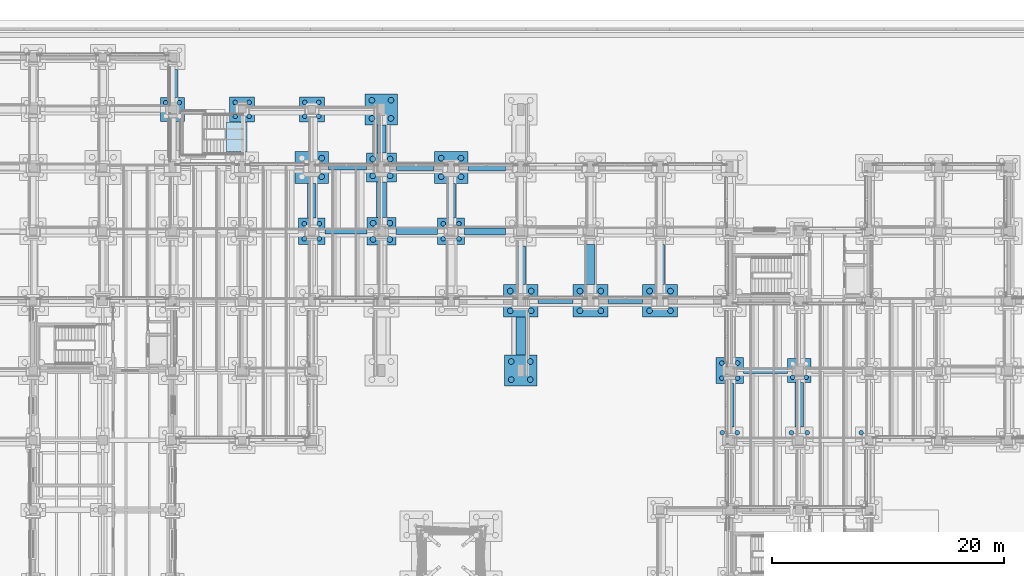
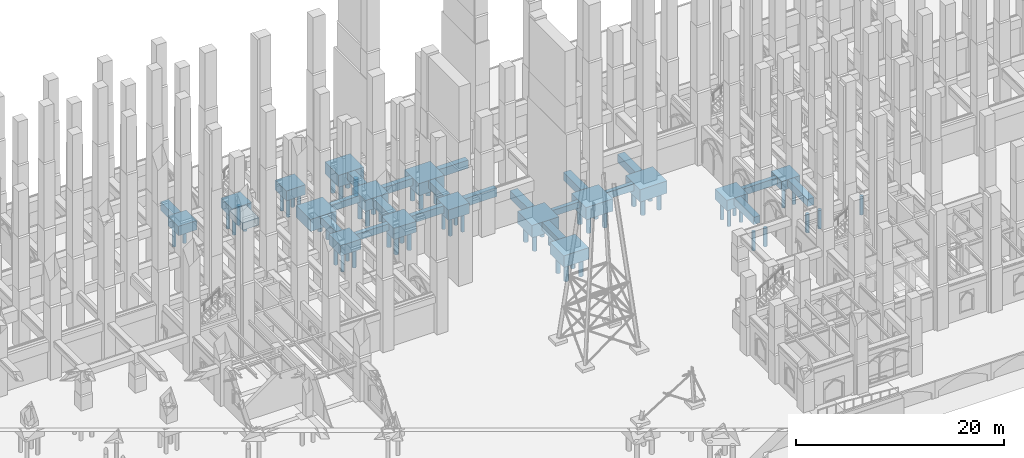
# One storey, part 10 of 135: 63 piles, 37 footings.
"""IFC4 building model written with IfcOpenShell, lengths in metres."""

from ifc_helpers import new_model, si_unit, direction, frame, origin, origin_2d, place, context, subcontext, project, spatial, polyline, rectangle, circle, outline, extrude, material, material_profile, profile_set, type_object, element, save


model = new_model("IFC4")

# Units and contexts
model_context = context("Model", 3, precision=1e-05, world=origin(), true_north=direction((0.0, 1.0)))
body_context = subcontext(model_context, "Body", "Model", "MODEL_VIEW")
ifc_project = project(units=[si_unit("LENGTHUNIT", "METRE"), si_unit("AREAUNIT", "SQUARE_METRE"), si_unit("VOLUMEUNIT", "CUBIC_METRE"), si_unit("PLANEANGLEUNIT", "RADIAN"), si_unit("MASSUNIT", "GRAM", prefix="KILO")], contexts=[model_context])

# Site, building, storey
site_placement = place(None, origin())
site = spatial("IfcSite", under=ifc_project, at=site_placement, CompositionType="ELEMENT")
building_placement = place(site_placement, origin())
building = spatial("IfcBuilding", under=site, at=building_placement, Name="Cumevento Cable Car Station", CompositionType="ELEMENT")
storey_placement = place(building_placement, origin())
storey = spatial("IfcBuildingStorey", under=building, at=storey_placement, Name="L01", CompositionType="ELEMENT", Elevation=0.0)

# Footings
ifc_material_1 = material(Name="Concrete C40/50", Category="concrete")
footing_type_1 = type_object("IfcFootingType", Name="Ground Beam GB-01 420x720", PredefinedType="FOOTING_BEAM", material=ifc_material_1)
footing_1_placement = place(storey_placement, frame((0.0, 0.0, -0.719970703125)))
element("IfcFooting", 1, at=footing_1_placement, inside=storey, type_object=footing_type_1, Name="Ground Tie Beam GB-01 #100", PredefinedType="FOOTING_BEAM", context=body_context, shape_type="SweptSolid", body=[
    extrude(outline(polyline([(101.501953125, 44.7900390625), (104.498046875, 44.7900390625), (104.498046875, 45.2099609375), (101.501953125, 45.2099609375), (101.501953125, 44.7900390625)])), origin(), (0.0, 0.0, 1.0), 0.719970703125),
])
ifc_material_2 = material(Name="Concrete C40/50", Category="concrete")
footing_type_2 = type_object("IfcFootingType", Name="Ground Beam GB-02 480x800", PredefinedType="FOOTING_BEAM", material=ifc_material_2)
footing_2_placement = place(storey_placement, frame((0.0, 0.0, -0.800048828125)))
element("IfcFooting", 2, at=footing_2_placement, inside=storey, type_object=footing_type_2, Name="Ground Tie Beam GB-02 #77", PredefinedType="FOOTING_BEAM", context=body_context, shape_type="SweptSolid", body=[
    extrude(outline(polyline([(119.177001953125, 38.760009765625), (122.972900390625, 38.760009765625), (122.972900390625, 39.239990234375), (119.177001953125, 39.239990234375), (119.177001953125, 38.760009765625)])), origin(), (0.0, 0.0, 1.0), 0.800048828125),
])
footing_3_placement = place(storey_placement, frame((0.0, 0.0, -0.800048828125)))
element("IfcFooting", 3, at=footing_3_placement, inside=storey, type_object=footing_type_2, Name="Ground Tie Beam GB-02 #101", PredefinedType="FOOTING_BEAM", context=body_context, shape_type="SweptSolid", body=[
    extrude(outline(polyline([(107.501953125, 44.760009765625), (110.498046875, 44.760009765625), (110.498046875, 45.239990234375), (107.501953125, 45.239990234375), (107.501953125, 44.760009765625)])), origin(), (0.0, 0.0, 1.0), 0.800048828125),
])
footing_4_placement = place(storey_placement, frame((0.0, 0.0, -0.800048828125)))
element("IfcFooting", 4, at=footing_4_placement, inside=storey, type_object=footing_type_2, Name="Ground Tie Beam GB-02 #121", PredefinedType="FOOTING_BEAM", context=body_context, shape_type="SweptSolid", body=[
    extrude(outline(polyline([(83.126953125, 50.760009765625), (86.748046875, 50.760009765625), (86.748046875, 51.239990234375), (83.126953125, 51.239990234375), (83.126953125, 50.760009765625)])), origin(), (0.0, 0.0, 1.0), 0.800048828125),
])
footing_5_placement = place(storey_placement, frame((0.0, 0.0, -0.800048828125)))
element("IfcFooting", 5, at=footing_5_placement, inside=storey, type_object=footing_type_2, Name="Ground Tie Beam GB-02 #141", PredefinedType="FOOTING_BEAM", context=body_context, shape_type="SweptSolid", body=[
    extrude(outline(polyline([(83.451904296875, 56.260009765625), (86.697998046875, 56.260009765625), (86.697998046875, 56.739990234375), (83.451904296875, 56.739990234375), (83.451904296875, 56.260009765625)])), origin(), (0.0, 0.0, 1.0), 0.800048828125),
])
ifc_material_3 = material(Name="Concrete C40/50", Category="concrete")
footing_type_3 = type_object("IfcFootingType", Name="Ground Beam GB-03 540x880", PredefinedType="FOOTING_BEAM", material=ifc_material_3)
footing_6_placement = place(storey_placement, frame((0.0, 0.0, -0.8798828125)))
element("IfcFooting", 6, at=footing_6_placement, inside=storey, type_object=footing_type_3, Name="Ground Tie Beam GB-03 #122", PredefinedType="FOOTING_BEAM", context=body_context, shape_type="SweptSolid", body=[
    extrude(outline(polyline([(89.251953125, 50.72998046875), (92.822998046875, 50.72998046875), (92.822998046875, 51.27001953125), (89.251953125, 51.27001953125), (89.251953125, 50.72998046875)])), origin(), (0.0, 0.0, 1.0), 0.8798828125),
])
footing_7_placement = place(storey_placement, frame((0.0, 0.0, -0.8798828125)))
element("IfcFooting", 7, at=footing_7_placement, inside=storey, type_object=footing_type_3, Name="Ground Tie Beam GB-03 #142", PredefinedType="FOOTING_BEAM", context=body_context, shape_type="SweptSolid", body=[
    extrude(outline(polyline([(89.302001953125, 56.22998046875), (92.548095703125, 56.22998046875), (92.548095703125, 56.77001953125), (89.302001953125, 56.77001953125), (89.302001953125, 56.22998046875)])), origin(), (0.0, 0.0, 1.0), 0.8798828125),
])
ifc_material_4 = material(Name="Concrete C40/50", Category="concrete")
footing_type_4 = type_object("IfcFootingType", Name="Ground Beam GB-04 600x960", PredefinedType="FOOTING_BEAM", material=ifc_material_4)
footing_8_placement = place(storey_placement, frame((0.0, 0.0, -0.9599609375)))
element("IfcFooting", 8, at=footing_8_placement, inside=storey, type_object=footing_type_4, Name="Ground Tie Beam GB-04 #123", PredefinedType="FOOTING_BEAM", context=body_context, shape_type="SweptSolid", body=[
    extrude(outline(polyline([(95.177001953125, 50.699951171875), (98.697998046875, 50.699951171875), (98.697998046875, 51.300048828125), (95.177001953125, 51.300048828125), (95.177001953125, 50.699951171875)])), origin(), (0.0, 0.0, 1.0), 0.9599609375),
])
footing_9_placement = place(storey_placement, frame((0.0, 0.0, -0.9599609375)))
element("IfcFooting", 9, at=footing_9_placement, inside=storey, type_object=footing_type_4, Name="Ground Tie Beam GB-04 #143", PredefinedType="FOOTING_BEAM", context=body_context, shape_type="SweptSolid", body=[
    extrude(outline(polyline([(95.451904296875, 56.199951171875), (98.697998046875, 56.199951171875), (98.697998046875, 56.800048828125), (95.451904296875, 56.800048828125), (95.451904296875, 56.199951171875)])), origin(), (0.0, 0.0, 1.0), 0.9599609375),
])

# Piles
ifc_material_5 = material(Name="Concrete C40/50", Category="concrete")
ifc_material_profile_1 = material_profile(ifc_material_5, circle(Radius=0.199951171875, at=origin_2d()), Name="PILE-D400")
ifc_profile_set_1 = profile_set([ifc_material_profile_1], Name="Concrete C40/50")
pile_type_1 = type_object("IfcPileType", Name="PILE-BORED-400", PredefinedType="BORED", material=ifc_profile_set_1)
for number, where, z_axis, x_axis, name in (
    (10, (69.419921875, 62.080078125, -1.10009765625), (0.0, 0.0, -1.0), (1.0, 0.0, 0.0), "Bored Pile PL-400 #307"),
    (11, (70.580078125, 62.080078125, -1.10009765625), (0.0, 0.0, -1.0), (1.0, 0.0, 0.0), "Bored Pile PL-400 #308"),
):
    element("IfcPile", number, at=place(storey_placement, frame(where, z_axis=z_axis, x_axis=x_axis)), inside=storey, type_object=pile_type_1, Name=name, PredefinedType="BORED", context=body_context, shape_type="SweptSolid", body=[
        extrude(circle(Radius=0.199951171875, at=origin_2d()), origin(), (0.0, 0.0, 1.0), 2.300048828125),
    ])
for number, where, z_axis, x_axis, name in (
    (12, (81.35009765625, 50.35009765625, -1.199951171875), (0.0, 0.0, -1.0), (1.0, 0.0, 0.0), "Bored Pile PL-400 #353"),
    (13, (82.64990234375, 50.35009765625, -1.199951171875), (0.0, 0.0, -1.0), (1.0, 0.0, 0.0), "Bored Pile PL-400 #354"),
    (14, (81.35009765625, 51.64990234375, -1.199951171875), (0.0, 0.0, -1.0), (1.0, 0.0, 0.0), "Bored Pile PL-400 #355"),
    (15, (82.64990234375, 51.64990234375, -1.199951171875), (0.0, 0.0, -1.0), (1.0, 0.0, 0.0), "Bored Pile PL-400 #356"),
):
    element("IfcPile", number, at=place(storey_placement, frame(where, z_axis=z_axis, x_axis=x_axis)), inside=storey, type_object=pile_type_1, Name=name, PredefinedType="BORED", context=body_context, shape_type="SweptSolid", body=[
        extrude(circle(Radius=0.199951171875, at=origin_2d()), origin(), (0.0, 0.0, 1.0), 2.199951171875),
    ])
for number, where, z_axis, x_axis, name in (
    (16, (93.320068359375, 50.35009765625, -1.219970703125), (0.0, 0.0, -1.0), (1.0, 0.0, 0.0), "Bored Pile PL-400 #377"),
    (17, (94.679931640625, 50.35009765625, -1.219970703125), (0.0, 0.0, -1.0), (1.0, 0.0, 0.0), "Bored Pile PL-400 #378"),
    (18, (93.320068359375, 51.64990234375, -1.219970703125), (0.0, 0.0, -1.0), (1.0, 0.0, 0.0), "Bored Pile PL-400 #379"),
    (19, (94.679931640625, 51.64990234375, -1.219970703125), (0.0, 0.0, -1.0), (1.0, 0.0, 0.0), "Bored Pile PL-400 #380"),
):
    element("IfcPile", number, at=place(storey_placement, frame(where, z_axis=z_axis, x_axis=x_axis)), inside=storey, type_object=pile_type_1, Name=name, PredefinedType="BORED", context=body_context, shape_type="SweptSolid", body=[
        extrude(circle(Radius=0.199951171875, at=origin_2d()), origin(), (0.0, 0.0, 1.0), 2.179931640625),
    ])
for number, where, z_axis, x_axis, name in (
    (20, (117.35009765625, 33.64990234375, -1.199951171875), (0.0, 0.0, -1.0), (1.0, 0.0, 0.0), "Bored Pile PL-400 #449"),
    (21, (118.64990234375, 33.64990234375, -1.199951171875), (0.0, 0.0, -1.0), (1.0, 0.0, 0.0), "Bored Pile PL-400 #450"),
):
    element("IfcPile", number, at=place(storey_placement, frame(where, z_axis=z_axis, x_axis=x_axis)), inside=storey, type_object=pile_type_1, Name=name, PredefinedType="BORED", context=body_context, shape_type="SweptSolid", body=[
        extrude(circle(Radius=0.199951171875, at=origin_2d()), origin(), (0.0, 0.0, 1.0), 2.199951171875),
    ])
for number, where, z_axis, x_axis, name in (
    (22, (117.320068359375, 38.35009765625, -1.219970703125), (0.0, 0.0, -1.0), (1.0, 0.0, 0.0), "Bored Pile PL-400 #451"),
    (23, (118.679931640625, 38.35009765625, -1.219970703125), (0.0, 0.0, -1.0), (1.0, 0.0, 0.0), "Bored Pile PL-400 #452"),
    (24, (117.320068359375, 39.64990234375, -1.219970703125), (0.0, 0.0, -1.0), (1.0, 0.0, 0.0), "Bored Pile PL-400 #453"),
    (25, (118.679931640625, 39.64990234375, -1.219970703125), (0.0, 0.0, -1.0), (1.0, 0.0, 0.0), "Bored Pile PL-400 #454"),
    (26, (123.320068359375, 33.64990234375, -1.219970703125), (0.0, 0.0, -1.0), (1.0, 0.0, 0.0), "Bored Pile PL-400 #481"),
    (27, (124.679931640625, 33.64990234375, -1.219970703125), (0.0, 0.0, -1.0), (1.0, 0.0, 0.0), "Bored Pile PL-400 #482"),
):
    element("IfcPile", number, at=place(storey_placement, frame(where, z_axis=z_axis, x_axis=x_axis)), inside=storey, type_object=pile_type_1, Name=name, PredefinedType="BORED", context=body_context, shape_type="SweptSolid", body=[
        extrude(circle(Radius=0.199951171875, at=origin_2d()), origin(), (0.0, 0.0, 1.0), 2.179931640625),
    ])
for number, where, z_axis, x_axis, name in (
    (28, (123.419921875, 38.419921875, -1.10009765625), (0.0, 0.0, -1.0), (1.0, 0.0, 0.0), "Bored Pile PL-400 #483"),
    (29, (124.580078125, 38.419921875, -1.10009765625), (0.0, 0.0, -1.0), (1.0, 0.0, 0.0), "Bored Pile PL-400 #484"),
):
    element("IfcPile", number, at=place(storey_placement, frame(where, z_axis=z_axis, x_axis=x_axis)), inside=storey, type_object=pile_type_1, Name=name, PredefinedType="BORED", context=body_context, shape_type="SweptSolid", body=[
        extrude(circle(Radius=0.199951171875, at=origin_2d()), origin(), (0.0, 0.0, 1.0), 2.300048828125),
    ])
pile_placement = place(storey_placement, frame((129.320068359375, 33.64990234375, -1.219970703125), z_axis=(0.0, 0.0, -1.0), x_axis=(1.0, 0.0, 0.0)))
element("IfcPile", 30, at=pile_placement, inside=storey, type_object=pile_type_1, Name="Bored Pile PL-400 #509", PredefinedType="BORED", context=body_context, shape_type="SweptSolid", body=[
    extrude(circle(Radius=0.199951171875, at=origin_2d()), origin(), (0.0, 0.0, 1.0), 2.179931640625),
])
for number, where, z_axis, x_axis, name in (
    (31, (75.39990234375, 60.89990234375, -1.14990234375), (0.0, 0.0, -1.0), (1.0, 0.0, 0.0), "Bored Pile PL-400 Ext #57"),
    (32, (76.60009765625, 60.89990234375, -1.14990234375), (0.0, 0.0, -1.0), (1.0, 0.0, 0.0), "Bored Pile PL-400 Ext #58"),
    (33, (75.39990234375, 62.10009765625, -1.14990234375), (0.0, 0.0, -1.0), (1.0, 0.0, 0.0), "Bored Pile PL-400 Ext #59"),
    (34, (76.60009765625, 62.10009765625, -1.14990234375), (0.0, 0.0, -1.0), (1.0, 0.0, 0.0), "Bored Pile PL-400 Ext #60"),
    (35, (81.39990234375, 60.89990234375, -1.14990234375), (0.0, 0.0, -1.0), (1.0, 0.0, 0.0), "Bored Pile PL-400 Ext #61"),
    (36, (82.60009765625, 60.89990234375, -1.14990234375), (0.0, 0.0, -1.0), (1.0, 0.0, 0.0), "Bored Pile PL-400 Ext #62"),
    (37, (81.39990234375, 62.10009765625, -1.14990234375), (0.0, 0.0, -1.0), (1.0, 0.0, 0.0), "Bored Pile PL-400 Ext #63"),
    (38, (82.60009765625, 62.10009765625, -1.14990234375), (0.0, 0.0, -1.0), (1.0, 0.0, 0.0), "Bored Pile PL-400 Ext #64"),
):
    element("IfcPile", number, at=place(storey_placement, frame(where, z_axis=z_axis, x_axis=x_axis)), inside=storey, type_object=pile_type_1, Name=name, PredefinedType="BORED", context=body_context, shape_type="SweptSolid", body=[
        extrude(circle(Radius=0.199951171875, at=origin_2d()), origin(), (0.0, 0.0, 1.0), 2.25),
    ])
ifc_material_6 = material(Name="Concrete C40/50", Category="concrete")
ifc_material_profile_2 = material_profile(ifc_material_6, circle(Radius=0.25, at=origin_2d()), Name="PILE-D500")
ifc_profile_set_2 = profile_set([ifc_material_profile_2], Name="Concrete C40/50")
pile_type_2 = type_object("IfcPileType", Name="PILE-BORED-500", PredefinedType="BORED", material=ifc_profile_set_2)
for number, where, z_axis, x_axis, name in (
    (39, (82.85009765625, 55.699951171875, -1.419921875), (0.0, 0.0, -1.0), (1.0, 0.0, 0.0), "Bored Pile PL-500 #358"),
    (40, (82.85009765625, 57.300048828125, -1.419921875), (0.0, 0.0, -1.0), (1.0, 0.0, 0.0), "Bored Pile PL-500 #360"),
):
    element("IfcPile", number, at=place(storey_placement, frame(where, z_axis=z_axis, x_axis=x_axis)), inside=storey, type_object=pile_type_2, Name=name, PredefinedType="BORED", context=body_context, shape_type="SweptSolid", body=[
        extrude(circle(Radius=0.25, at=origin_2d()), origin(), (0.0, 0.0, 1.0), 1.97998046875),
    ])
for number, where, z_axis, x_axis, name in (
    (41, (87.280029296875, 50.300048828125, -1.280029296875), (0.0, 0.0, -1.0), (1.0, 0.0, 0.0), "Bored Pile PL-500 #365"),
    (42, (88.719970703125, 50.300048828125, -1.280029296875), (0.0, 0.0, -1.0), (1.0, 0.0, 0.0), "Bored Pile PL-500 #366"),
    (43, (87.280029296875, 51.699951171875, -1.280029296875), (0.0, 0.0, -1.0), (1.0, 0.0, 0.0), "Bored Pile PL-500 #367"),
    (44, (88.719970703125, 51.699951171875, -1.280029296875), (0.0, 0.0, -1.0), (1.0, 0.0, 0.0), "Bored Pile PL-500 #368"),
):
    element("IfcPile", number, at=place(storey_placement, frame(where, z_axis=z_axis, x_axis=x_axis)), inside=storey, type_object=pile_type_2, Name=name, PredefinedType="BORED", context=body_context, shape_type="SweptSolid", body=[
        extrude(circle(Radius=0.25, at=origin_2d()), origin(), (0.0, 0.0, 1.0), 2.1201171875),
    ])
for number, where, z_axis, x_axis, name in (
    (45, (87.25, 55.780029296875, -1.300048828125), (0.0, 0.0, -1.0), (1.0, 0.0, 0.0), "Bored Pile PL-500 #369"),
    (46, (88.75, 55.780029296875, -1.300048828125), (0.0, 0.0, -1.0), (1.0, 0.0, 0.0), "Bored Pile PL-500 #370"),
    (47, (87.25, 57.219970703125, -1.300048828125), (0.0, 0.0, -1.0), (1.0, 0.0, 0.0), "Bored Pile PL-500 #371"),
    (48, (88.75, 57.219970703125, -1.300048828125), (0.0, 0.0, -1.0), (1.0, 0.0, 0.0), "Bored Pile PL-500 #372"),
):
    element("IfcPile", number, at=place(storey_placement, frame(where, z_axis=z_axis, x_axis=x_axis)), inside=storey, type_object=pile_type_2, Name=name, PredefinedType="BORED", context=body_context, shape_type="SweptSolid", body=[
        extrude(circle(Radius=0.25, at=origin_2d()), origin(), (0.0, 0.0, 1.0), 2.10009765625),
    ])
for number, where, z_axis, x_axis, name in (
    (49, (93.14990234375, 55.699951171875, -1.419921875), (0.0, 0.0, -1.0), (1.0, 0.0, 0.0), "Bored Pile PL-500 #381"),
    (50, (94.85009765625, 55.699951171875, -1.419921875), (0.0, 0.0, -1.0), (1.0, 0.0, 0.0), "Bored Pile PL-500 #382"),
    (51, (93.14990234375, 57.300048828125, -1.419921875), (0.0, 0.0, -1.0), (1.0, 0.0, 0.0), "Bored Pile PL-500 #383"),
    (52, (94.85009765625, 57.300048828125, -1.419921875), (0.0, 0.0, -1.0), (1.0, 0.0, 0.0), "Bored Pile PL-500 #384"),
):
    element("IfcPile", number, at=place(storey_placement, frame(where, z_axis=z_axis, x_axis=x_axis)), inside=storey, type_object=pile_type_2, Name=name, PredefinedType="BORED", context=body_context, shape_type="SweptSolid", body=[
        extrude(circle(Radius=0.25, at=origin_2d()), origin(), (0.0, 0.0, 1.0), 1.97998046875),
    ])
for number, where, z_axis, x_axis, name in (
    (53, (99.10009765625, 44.14990234375, -1.449951171875), (0.0, 0.0, -1.0), (1.0, 0.0, 0.0), "Bored Pile PL-500 #385"),
    (54, (100.89990234375, 44.14990234375, -1.449951171875), (0.0, 0.0, -1.0), (1.0, 0.0, 0.0), "Bored Pile PL-500 #386"),
    (55, (99.10009765625, 45.85009765625, -1.449951171875), (0.0, 0.0, -1.0), (1.0, 0.0, 0.0), "Bored Pile PL-500 #387"),
    (56, (100.89990234375, 45.85009765625, -1.449951171875), (0.0, 0.0, -1.0), (1.0, 0.0, 0.0), "Bored Pile PL-500 #388"),
    (57, (105.10009765625, 44.14990234375, -1.449951171875), (0.0, 0.0, -1.0), (1.0, 0.0, 0.0), "Bored Pile PL-500 #403"),
    (58, (106.89990234375, 44.14990234375, -1.449951171875), (0.0, 0.0, -1.0), (1.0, 0.0, 0.0), "Bored Pile PL-500 #404"),
    (59, (105.10009765625, 45.85009765625, -1.449951171875), (0.0, 0.0, -1.0), (1.0, 0.0, 0.0), "Bored Pile PL-500 #405"),
    (60, (106.89990234375, 45.85009765625, -1.449951171875), (0.0, 0.0, -1.0), (1.0, 0.0, 0.0), "Bored Pile PL-500 #406"),
    (61, (111.10009765625, 44.14990234375, -1.449951171875), (0.0, 0.0, -1.0), (1.0, 0.0, 0.0), "Bored Pile PL-500 #421"),
    (62, (112.89990234375, 44.14990234375, -1.449951171875), (0.0, 0.0, -1.0), (1.0, 0.0, 0.0), "Bored Pile PL-500 #422"),
    (63, (111.10009765625, 45.85009765625, -1.449951171875), (0.0, 0.0, -1.0), (1.0, 0.0, 0.0), "Bored Pile PL-500 #423"),
    (64, (112.89990234375, 45.85009765625, -1.449951171875), (0.0, 0.0, -1.0), (1.0, 0.0, 0.0), "Bored Pile PL-500 #424"),
):
    element("IfcPile", number, at=place(storey_placement, frame(where, z_axis=z_axis, x_axis=x_axis)), inside=storey, type_object=pile_type_2, Name=name, PredefinedType="BORED", context=body_context, shape_type="SweptSolid", body=[
        extrude(circle(Radius=0.25, at=origin_2d()), origin(), (0.0, 0.0, 1.0), 1.949951171875),
    ])
for number, where, z_axis, x_axis, name in (
    (65, (87.179931640625, 60.719970703125, -1.3798828125), (0.0, 0.0, -1.0), (1.0, 0.0, 0.0), "Bored Pile PL-500 Ext #1"),
    (66, (88.820068359375, 60.719970703125, -1.3798828125), (0.0, 0.0, -1.0), (1.0, 0.0, 0.0), "Bored Pile PL-500 Ext #2"),
    (67, (87.179931640625, 62.280029296875, -1.3798828125), (0.0, 0.0, -1.0), (1.0, 0.0, 0.0), "Bored Pile PL-500 Ext #3"),
    (68, (88.820068359375, 62.280029296875, -1.3798828125), (0.0, 0.0, -1.0), (1.0, 0.0, 0.0), "Bored Pile PL-500 Ext #4"),
    (69, (99.179931640625, 38.219970703125, -1.3798828125), (0.0, 0.0, -1.0), (1.0, 0.0, 0.0), "Bored Pile PL-500 Ext #13"),
    (70, (100.820068359375, 38.219970703125, -1.3798828125), (0.0, 0.0, -1.0), (1.0, 0.0, 0.0), "Bored Pile PL-500 Ext #14"),
    (71, (99.179931640625, 39.780029296875, -1.3798828125), (0.0, 0.0, -1.0), (1.0, 0.0, 0.0), "Bored Pile PL-500 Ext #15"),
    (72, (100.820068359375, 39.780029296875, -1.3798828125), (0.0, 0.0, -1.0), (1.0, 0.0, 0.0), "Bored Pile PL-500 Ext #16"),
):
    element("IfcPile", number, at=place(storey_placement, frame(where, z_axis=z_axis, x_axis=x_axis)), inside=storey, type_object=pile_type_2, Name=name, PredefinedType="BORED", context=body_context, shape_type="SweptSolid", body=[
        extrude(circle(Radius=0.25, at=origin_2d()), origin(), (0.0, 0.0, 1.0), 2.02001953125),
    ])

# Footings
ifc_material_7 = material(Name="Concrete C40/50", Category="concrete")
footing_type_5 = type_object("IfcFootingType", Name="Pile Cap PC-05 2050x2050x1100", PredefinedType="PILE_CAP", material=ifc_material_7)
for number, where, z_axis, x_axis, name in (
    (73, (70.0, 61.5, -1.10009765625), (0.0, 0.0, 1.0), (1.0, 0.0, 0.0), "Pile Cap PC-05 at (70.0,61.5)"),
    (74, (124.0, 39.0, -1.10009765625), (0.0, 0.0, 1.0), (1.0, 0.0, 0.0), "Pile Cap PC-05 at (124.0,39.0)"),
):
    element("IfcFooting", number, at=place(storey_placement, frame(where, z_axis=z_axis, x_axis=x_axis)), inside=storey, type_object=footing_type_5, Name=name, PredefinedType="PILE_CAP", context=body_context, shape_type="SweptSolid", body=[
        extrude(rectangle(XDim=2.050048828125, YDim=2.050048828125, at=origin_2d()), origin(), (0.0, 0.0, 1.0), 1.10009765625),
    ])
ifc_material_8 = material(Name="Concrete C40/50", Category="concrete")
footing_type_6 = type_object("IfcFootingType", Name="Pile Cap PC-06 2150x2150x1150", PredefinedType="PILE_CAP", material=ifc_material_8)
for number, where, z_axis, x_axis, name in (
    (75, (76.0, 61.5, -1.14990234375), (0.0, 0.0, 1.0), (1.0, 0.0, 0.0), "Pile Cap PC-06 at (76.0,61.5)"),
    (76, (82.0, 61.5, -1.14990234375), (0.0, 0.0, 1.0), (1.0, 0.0, 0.0), "Pile Cap PC-06 at (82.0,61.5)"),
):
    element("IfcFooting", number, at=place(storey_placement, frame(where, z_axis=z_axis, x_axis=x_axis)), inside=storey, type_object=footing_type_6, Name=name, PredefinedType="PILE_CAP", context=body_context, shape_type="SweptSolid", body=[
        extrude(rectangle(XDim=2.14990234375, YDim=2.14990234375, at=origin_2d()), origin(), (0.0, 0.0, 1.0), 1.14990234375),
    ])
ifc_material_9 = material(Name="Concrete C40/50", Category="concrete")
footing_type_7 = type_object("IfcFootingType", Name="Pile Cap PC-07 2250x2250x1200", PredefinedType="PILE_CAP", material=ifc_material_9)
footing_10_placement = place(storey_placement, frame((82.0, 51.0, -1.2001953125), z_axis=(0.0, 0.0, 1.0), x_axis=(1.0, 0.0, 0.0)))
element("IfcFooting", 77, at=footing_10_placement, inside=storey, type_object=footing_type_7, Name="Pile Cap PC-07 at (82.0,51.0)", PredefinedType="PILE_CAP", context=body_context, shape_type="SweptSolid", body=[
    extrude(rectangle(XDim=2.25, YDim=2.25, at=origin_2d()), origin(), (0.0, 0.0, 1.0), 1.199951171875),
])
ifc_material_10 = material(Name="Concrete C40/50", Category="concrete")
footing_type_8 = type_object("IfcFootingType", Name="Pile Cap PC-08 2350x2250x1220", PredefinedType="PILE_CAP", material=ifc_material_10)
for number, where, z_axis, x_axis, name in (
    (78, (94.0, 51.0, -1.22021484375), (0.0, 0.0, 1.0), (1.0, 0.0, 0.0), "Pile Cap PC-08 at (94.0,51.0)"),
    (79, (118.0, 39.0, -1.22021484375), (0.0, 0.0, 1.0), (1.0, 0.0, 0.0), "Pile Cap PC-08 at (118.0,39.0)"),
):
    element("IfcFooting", number, at=place(storey_placement, frame(where, z_axis=z_axis, x_axis=x_axis)), inside=storey, type_object=footing_type_8, Name=name, PredefinedType="PILE_CAP", context=body_context, shape_type="SweptSolid", body=[
        extrude(rectangle(XDim=2.35009765625, YDim=2.25, at=origin_2d()), origin(), (0.0, 0.0, 1.0), 1.219970703125),
    ])
ifc_material_11 = material(Name="Concrete C40/50", Category="concrete")
footing_type_9 = type_object("IfcFootingType", Name="Pile Cap PC-10 2500x2400x1280", PredefinedType="PILE_CAP", material=ifc_material_11)
footing_11_placement = place(storey_placement, frame((88.0, 51.0, -1.27978515625), z_axis=(0.0, 0.0, 1.0), x_axis=(1.0, 0.0, 0.0)))
element("IfcFooting", 80, at=footing_11_placement, inside=storey, type_object=footing_type_9, Name="Pile Cap PC-10 at (88.0,51.0)", PredefinedType="PILE_CAP", context=body_context, shape_type="SweptSolid", body=[
    extrude(rectangle(XDim=2.5, YDim=2.39990234375, at=origin_2d()), origin(), (0.0, 0.0, 1.0), 1.280029296875),
])
ifc_material_12 = material(Name="Concrete C40/50", Category="concrete")
footing_type_10 = type_object("IfcFootingType", Name="Pile Cap PC-11 2600x2500x1300", PredefinedType="PILE_CAP", material=ifc_material_12)
footing_12_placement = place(storey_placement, frame((88.0, 56.5, -1.2998046875), z_axis=(0.0, 0.0, 1.0), x_axis=(1.0, 0.0, 0.0)))
element("IfcFooting", 81, at=footing_12_placement, inside=storey, type_object=footing_type_10, Name="Pile Cap PC-11 at (88.0,56.5)", PredefinedType="PILE_CAP", context=body_context, shape_type="SweptSolid", body=[
    extrude(rectangle(XDim=2.60009765625, YDim=2.5, at=origin_2d()), origin(), (0.0, 0.0, 1.0), 1.300048828125),
])
ifc_material_13 = material(Name="Concrete C40/50", Category="concrete")
footing_type_11 = type_object("IfcFootingType", Name="Pile Cap PC-13 2800x2650x1380", PredefinedType="PILE_CAP", material=ifc_material_13)
for number, where, z_axis, x_axis, name in (
    (82, (88.0, 61.5, -1.3798828125), (0.0, 0.0, 1.0), (1.0, 0.0, 0.0), "Pile Cap PC-13 at (88.0,61.5)"),
    (83, (100.0, 39.0, -1.3798828125), (0.0, 0.0, 1.0), (1.0, 0.0, 0.0), "Pile Cap PC-13 at (100.0,39.0)"),
):
    element("IfcFooting", number, at=place(storey_placement, frame(where, z_axis=z_axis, x_axis=x_axis)), inside=storey, type_object=footing_type_11, Name=name, PredefinedType="PILE_CAP", context=body_context, shape_type="SweptSolid", body=[
        extrude(rectangle(XDim=2.800048828125, YDim=2.64990234375, at=origin_2d()), origin(), (0.0, 0.0, 1.0), 1.3798828125),
    ])
ifc_material_14 = material(Name="Concrete C40/50", Category="concrete")
footing_type_12 = type_object("IfcFootingType", Name="Pile Cap PC-14 2900x2750x1420", PredefinedType="PILE_CAP", material=ifc_material_14)
for number, where, z_axis, x_axis, name in (
    (84, (82.0, 56.5, -1.419921875), (0.0, 0.0, 1.0), (1.0, 0.0, 0.0), "Pile Cap PC-14 at (82.0,56.5)"),
    (85, (94.0, 56.5, -1.419921875), (0.0, 0.0, 1.0), (1.0, 0.0, 0.0), "Pile Cap PC-14 at (94.0,56.5)"),
):
    element("IfcFooting", number, at=place(storey_placement, frame(where, z_axis=z_axis, x_axis=x_axis)), inside=storey, type_object=footing_type_12, Name=name, PredefinedType="PILE_CAP", context=body_context, shape_type="SweptSolid", body=[
        extrude(rectangle(XDim=2.89990234375, YDim=2.75, at=origin_2d()), origin(), (0.0, 0.0, 1.0), 1.419921875),
    ])
ifc_material_15 = material(Name="Concrete C40/50", Category="concrete")
footing_type_13 = type_object("IfcFootingType", Name="Pile Cap PC-15 3000x2800x1450", PredefinedType="PILE_CAP", material=ifc_material_15)
for number, where, z_axis, x_axis, name in (
    (86, (100.0, 45.0, -1.4501953125), (0.0, 0.0, 1.0), (1.0, 0.0, 0.0), "Pile Cap PC-15 at (100.0,45.0)"),
    (87, (106.0, 45.0, -1.4501953125), (0.0, 0.0, 1.0), (1.0, 0.0, 0.0), "Pile Cap PC-15 at (106.0,45.0)"),
    (88, (112.0, 45.0, -1.4501953125), (0.0, 0.0, 1.0), (1.0, 0.0, 0.0), "Pile Cap PC-15 at (112.0,45.0)"),
):
    element("IfcFooting", number, at=place(storey_placement, frame(where, z_axis=z_axis, x_axis=x_axis)), inside=storey, type_object=footing_type_13, Name=name, PredefinedType="PILE_CAP", context=body_context, shape_type="SweptSolid", body=[
        extrude(rectangle(XDim=3.0, YDim=2.800048828125, at=origin_2d()), origin(), (0.0, 0.0, 1.0), 1.449951171875),
    ])
ifc_material_16 = material(Name="Concrete C40/50", Category="concrete")
footing_type_14 = type_object("IfcFootingType", Name="Strip Footing SF-02 720x860", PredefinedType="STRIP_FOOTING", material=ifc_material_16)
footing_13_placement = place(storey_placement, frame((0.0, 0.0, -0.860107421875)))
element("IfcFooting", 89, at=footing_13_placement, inside=storey, type_object=footing_type_14, Name="Strip Footing SF-02 #249", PredefinedType="STRIP_FOOTING", context=body_context, shape_type="SweptSolid", body=[
    extrude(outline(polyline([(81.639892578125, 52.126953125), (82.360107421875, 52.126953125), (82.360107421875, 55.123046875), (81.639892578125, 55.123046875), (81.639892578125, 52.126953125)])), origin(), (0.0, 0.0, 1.0), 0.860107421875),
])
footing_14_placement = place(storey_placement, frame((0.0, 0.0, -0.860107421875)))
element("IfcFooting", 90, at=footing_14_placement, inside=storey, type_object=footing_type_14, Name="Strip Footing SF-02 #253", PredefinedType="STRIP_FOOTING", context=body_context, shape_type="SweptSolid", body=[
    extrude(outline(polyline([(93.639892578125, 52.126953125), (94.360107421875, 52.126953125), (94.360107421875, 55.123046875), (93.639892578125, 55.123046875), (93.639892578125, 52.126953125)])), origin(), (0.0, 0.0, 1.0), 0.860107421875),
])
footing_15_placement = place(storey_placement, frame((0.0, 0.0, -0.860107421875)))
element("IfcFooting", 91, at=footing_15_placement, inside=storey, type_object=footing_type_14, Name="Strip Footing SF-02 #269", PredefinedType="STRIP_FOOTING", context=body_context, shape_type="SweptSolid", body=[
    extrude(outline(polyline([(117.639892578125, 34.126953125), (118.360107421875, 34.126953125), (118.360107421875, 37.873046875), (117.639892578125, 37.873046875), (117.639892578125, 34.126953125)])), origin(), (0.0, 0.0, 1.0), 0.860107421875),
])
footing_16_placement = place(storey_placement, frame((0.0, 0.0, -0.860107421875)))
element("IfcFooting", 92, at=footing_16_placement, inside=storey, type_object=footing_type_14, Name="Strip Footing SF-02 #277", PredefinedType="STRIP_FOOTING", context=body_context, shape_type="SweptSolid", body=[
    extrude(outline(polyline([(123.639892578125, 34.126953125), (124.360107421875, 34.126953125), (124.360107421875, 37.972900390625), (123.639892578125, 37.972900390625), (123.639892578125, 34.126953125)])), origin(), (0.0, 0.0, 1.0), 0.860107421875),
])
footing_17_placement = place(storey_placement, frame((0.0, 0.0, -0.860107421875)))
element("IfcFooting", 93, at=footing_17_placement, inside=storey, type_object=footing_type_14, Name="Exterior Stair Flight Toe Footing ST-17", PredefinedType="STRIP_FOOTING", context=body_context, shape_type="SweptSolid", body=[
    extrude(outline(polyline([(76.43994140625, 57.889892578125), (74.60009765625, 57.889892578125), (74.60009765625, 60.360107421875), (76.43994140625, 60.360107421875), (76.43994140625, 57.889892578125)])), origin(), (0.0, 0.0, 1.0), 0.860107421875),
])
ifc_material_17 = material(Name="Concrete C40/50", Category="concrete")
footing_type_15 = type_object("IfcFootingType", Name="Strip Footing SF-03 800x940", PredefinedType="STRIP_FOOTING", material=ifc_material_17)
footing_18_placement = place(storey_placement, frame((0.0, 0.0, -0.93994140625)))
element("IfcFooting", 94, at=footing_18_placement, inside=storey, type_object=footing_type_15, Name="Strip Footing SF-03 #254", PredefinedType="STRIP_FOOTING", context=body_context, shape_type="SweptSolid", body=[
    extrude(outline(polyline([(99.60009765625, 46.402099609375), (100.39990234375, 46.402099609375), (100.39990234375, 49.748046875), (99.60009765625, 49.748046875), (99.60009765625, 46.402099609375)])), origin(), (0.0, 0.0, 1.0), 0.93994140625),
])
footing_19_placement = place(storey_placement, frame((0.0, 0.0, -0.93994140625)))
element("IfcFooting", 95, at=footing_19_placement, inside=storey, type_object=footing_type_15, Name="Strip Footing SF-03 #258", PredefinedType="STRIP_FOOTING", context=body_context, shape_type="SweptSolid", body=[
    extrude(outline(polyline([(105.60009765625, 46.402099609375), (106.39990234375, 46.402099609375), (106.39990234375, 49.873046875), (105.60009765625, 49.873046875), (105.60009765625, 46.402099609375)])), origin(), (0.0, 0.0, 1.0), 0.93994140625),
])
footing_20_placement = place(storey_placement, frame((0.0, 0.0, -0.93994140625)))
element("IfcFooting", 96, at=footing_20_placement, inside=storey, type_object=footing_type_15, Name="Strip Footing SF-03 #262", PredefinedType="STRIP_FOOTING", context=body_context, shape_type="SweptSolid", body=[
    extrude(outline(polyline([(111.60009765625, 46.402099609375), (112.39990234375, 46.402099609375), (112.39990234375, 49.873046875), (111.60009765625, 49.873046875), (111.60009765625, 46.402099609375)])), origin(), (0.0, 0.0, 1.0), 0.93994140625),
])
footing_21_placement = place(storey_placement, frame((0.0, 0.0, -0.93994140625)))
element("IfcFooting", 97, at=footing_21_placement, inside=storey, type_object=footing_type_15, Name="Portal Tie Footing SF-03 #1", PredefinedType="STRIP_FOOTING", context=body_context, shape_type="SweptSolid", body=[
    extrude(outline(polyline([(87.60009765625, 57.751953125), (88.39990234375, 57.751953125), (88.39990234375, 60.173095703125), (87.60009765625, 60.173095703125), (87.60009765625, 57.751953125)])), origin(), (0.0, 0.0, 1.0), 0.93994140625),
])
footing_22_placement = place(storey_placement, frame((0.0, 0.0, -0.93994140625)))
element("IfcFooting", 98, at=footing_22_placement, inside=storey, type_object=footing_type_15, Name="Portal Tie Footing SF-03 #4", PredefinedType="STRIP_FOOTING", context=body_context, shape_type="SweptSolid", body=[
    extrude(outline(polyline([(99.60009765625, 40.326904296875), (100.39990234375, 40.326904296875), (100.39990234375, 43.597900390625), (99.60009765625, 43.597900390625), (99.60009765625, 40.326904296875)])), origin(), (0.0, 0.0, 1.0), 0.93994140625),
])
ifc_material_18 = material(Name="Concrete C40/50", Category="concrete")
footing_type_16 = type_object("IfcFootingType", Name="Strip Footing SF-04 880x1020", PredefinedType="STRIP_FOOTING", material=ifc_material_18)
footing_23_placement = place(storey_placement, frame((0.0, 0.0, -1.02001953125)))
element("IfcFooting", 99, at=footing_23_placement, inside=storey, type_object=footing_type_16, Name="Strip Footing SF-04 #239", PredefinedType="STRIP_FOOTING", context=body_context, shape_type="SweptSolid", body=[
    extrude(outline(polyline([(69.56005859375, 62.527099609375), (70.43994140625, 62.527099609375), (70.43994140625, 64.923095703125), (69.56005859375, 64.923095703125), (69.56005859375, 62.527099609375)])), origin(), (0.0, 0.0, 1.0), 1.02001953125),
])
footing_24_placement = place(storey_placement, frame((0.0, 0.0, -1.02001953125)))
element("IfcFooting", 100, at=footing_24_placement, inside=storey, type_object=footing_type_16, Name="Strip Footing SF-04 #251", PredefinedType="STRIP_FOOTING", context=body_context, shape_type="SweptSolid", body=[
    extrude(outline(polyline([(87.56005859375, 52.201904296875), (88.43994140625, 52.201904296875), (88.43994140625, 55.248046875), (87.56005859375, 55.248046875), (87.56005859375, 52.201904296875)])), origin(), (0.0, 0.0, 1.0), 1.02001953125),
])

save(model, "model.ifc")
